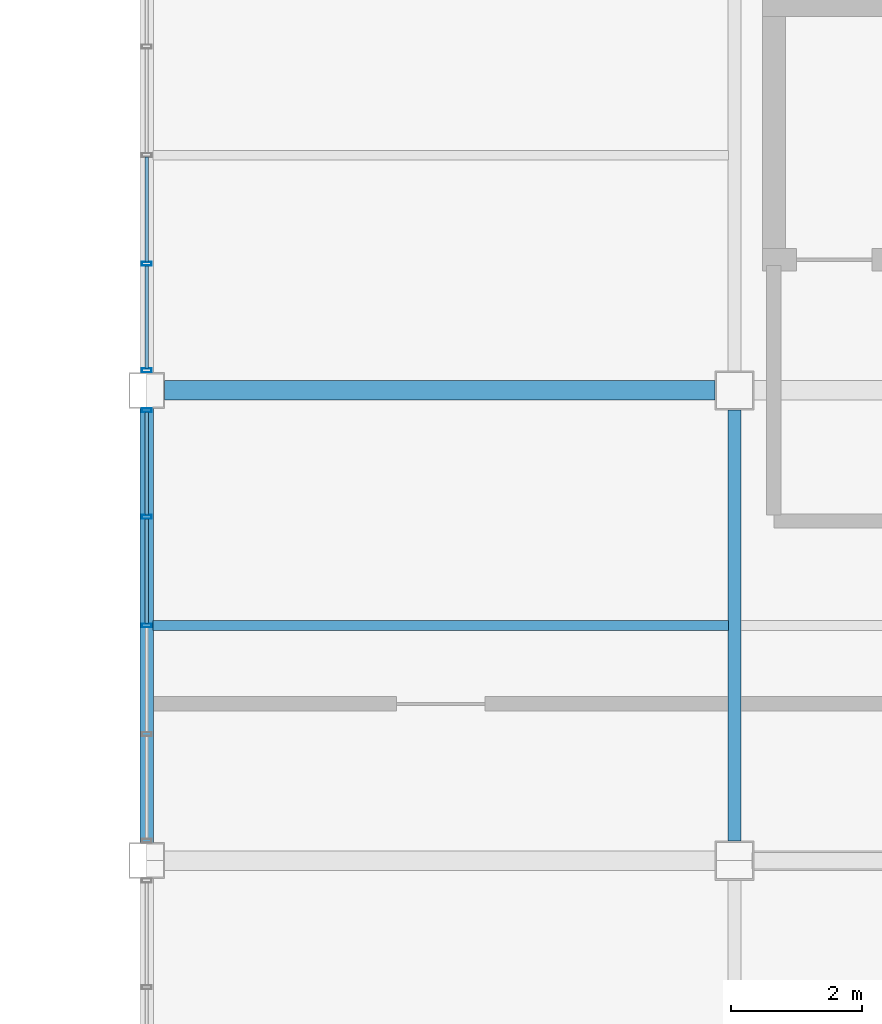
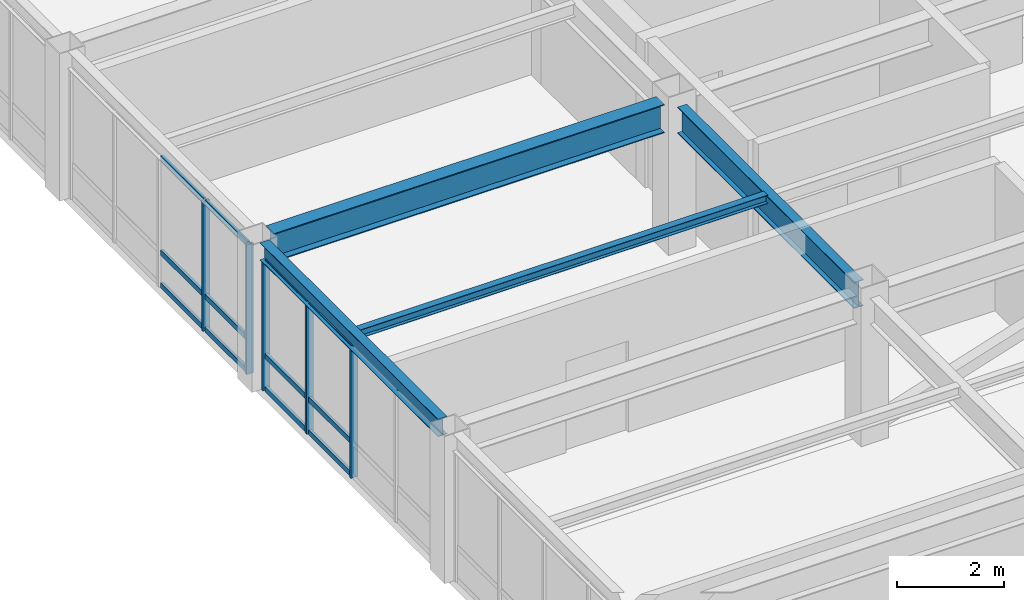
# One storey, part 22 of 43: 17 members, 4 beams, 2 elements without a shape of their own.
"""IFC4 building model written with IfcOpenShell, lengths in metres."""

from ifc_helpers import new_model, si_unit, direction, frame, origin, origin_2d, place, context, subcontext, project, spatial, hollow_rectangle, i_section, extrude, material, material_profile, profile_set, type_object, element, aggregate, save


model = new_model("IFC4")

# Units and contexts
model_context = context("Model", 3, precision=1e-05, world=origin(), true_north=direction((0.0, 1.0)))
body_context = subcontext(model_context, "Body", "Model", "MODEL_VIEW")
ifc_project = project(units=[si_unit("LENGTHUNIT", "METRE"), si_unit("AREAUNIT", "SQUARE_METRE"), si_unit("VOLUMEUNIT", "CUBIC_METRE"), si_unit("PLANEANGLEUNIT", "RADIAN"), si_unit("MASSUNIT", "GRAM", prefix="KILO")], contexts=[model_context])

# Site, building, storey
site_placement = place(None, origin())
site = spatial("IfcSite", under=ifc_project, at=site_placement, CompositionType="ELEMENT")
building_placement = place(site_placement, origin())
building = spatial("IfcBuilding", under=site, at=building_placement, Name="Kazanami Central Library", CompositionType="ELEMENT")
storey_placement = place(building_placement, frame((0.0, 0.0, 20.60009765625)))
storey = spatial("IfcBuildingStorey", under=building, at=storey_placement, Name="L06", CompositionType="ELEMENT", Elevation=20.60009765625)

# Beams
ifc_material_1 = material(Name="Steel SN400B (235 MPa)", Category="steel")
ifc_material_profile_1 = material_profile(ifc_material_1, i_section(OverallWidth=0.14990234375, OverallDepth=0.194091796875, WebThickness=0.006103515625, FlangeThickness=0.009033203125, at=origin_2d()), Name="H-194x150x6x9")
ifc_profile_set_1 = profile_set([ifc_material_profile_1], Name="Steel SN400B (235 MPa)")
beam_type_1 = type_object("IfcBeamType", Name="BM-B-S7", PredefinedType="JOIST", material=ifc_profile_set_1)
beam_1_placement = place(storey_placement, frame((117.097900390625, 75.60009765625, 3.262939453125), z_axis=(1.0, 0.0, 0.0), x_axis=(0.0, 1.0, 0.0)))
element("IfcBeam", 1, at=beam_1_placement, inside=storey, type_object=beam_type_1, Name="Composite Secondary Joist B-S7 L06 Bay 14/L.1", PredefinedType="JOIST", context=body_context, shape_type="SweptSolid", body=[
    extrude(i_section(OverallWidth=0.14990234375, OverallDepth=0.194091796875, WebThickness=0.006103515625, FlangeThickness=0.009033203125, at=origin_2d()), origin(), (0.0, 0.0, 1.0), 8.80419921875),
])
ifc_material_2 = material(Name="Steel SN490B (325 MPa)", Category="steel")
ifc_material_profile_2 = material_profile(ifc_material_2, i_section(OverallWidth=0.300048828125, OverallDepth=0.64990234375, WebThickness=0.012939453125, FlangeThickness=0.02099609375, at=origin_2d()), Name="H-650x300x13x21")
ifc_profile_set_2 = profile_set([ifc_material_profile_2], Name="Steel SN490B (325 MPa)")
beam_type_2 = type_object("IfcBeamType", Name="BM-G-TR", PredefinedType="BEAM", material=ifc_profile_set_2)
beam_2_placement = place(storey_placement, frame((117.27294921875, 79.199951171875, 3.034912109375), z_axis=(1.0, 0.0, 0.0), x_axis=(0.0, 1.0, 0.0)))
element("IfcBeam", 2, at=beam_2_placement, inside=storey, type_object=beam_type_2, Name="Girder G-TR L06 M/14-15", PredefinedType="BEAM", context=body_context, shape_type="SweptSolid", body=[
    extrude(i_section(OverallWidth=0.300048828125, OverallDepth=0.64990234375, WebThickness=0.012939453125, FlangeThickness=0.02099609375, at=origin_2d()), origin(), (0.0, 0.0, 1.0), 8.428955078125),
])
ifc_material_profile_3 = material_profile(ifc_material_2, i_section(OverallWidth=0.199951171875, OverallDepth=0.60009765625, WebThickness=0.010986328125, FlangeThickness=0.01708984375, at=origin_2d()), Name="H-600x200x11x17")
ifc_profile_set_3 = profile_set([ifc_material_profile_3], Name="Steel SN490B (325 MPa)")
beam_type_3 = type_object("IfcBeamType", Name="BM-G-Y1", PredefinedType="BEAM", material=ifc_profile_set_3)
beam_3_placement = place(storey_placement, frame((126.0, 72.298095703125, 3.02001953125), z_axis=(0.0, 1.0, 0.0), x_axis=(-1.0, 0.0, 0.0)))
element("IfcBeam", 3, at=beam_3_placement, inside=storey, type_object=beam_type_3, Name="Girder G-Y1 L06 15/L-M", PredefinedType="BEAM", context=body_context, shape_type="SweptSolid", body=[
    extrude(i_section(OverallWidth=0.199951171875, OverallDepth=0.60009765625, WebThickness=0.010986328125, FlangeThickness=0.01708984375, at=origin_2d()), origin(), (0.0, 0.0, 1.0), 6.60400390625),
])
ifc_material_profile_4 = material_profile(ifc_material_2, i_section(OverallWidth=0.199951171875, OverallDepth=0.39990234375, WebThickness=0.008056640625, FlangeThickness=0.012939453125, at=origin_2d()), Name="H-400x200x8x13")
ifc_profile_set_4 = profile_set([ifc_material_profile_4], Name="Steel SN490B (325 MPa)")
beam_type_4 = type_object("IfcBeamType", Name="BM-SP-3", PredefinedType="SPANDREL", material=ifc_profile_set_4)
beam_4_placement = place(storey_placement, frame((117.0, 72.27294921875, 3.159912109375), z_axis=(0.0, 1.0, 0.0), x_axis=(-1.0, 0.0, 0.0)))
element("IfcBeam", 4, at=beam_4_placement, inside=storey, type_object=beam_type_4, Name="Girder SP-3 L06 14/L-M", PredefinedType="SPANDREL", context=body_context, shape_type="SweptSolid", body=[
    extrude(i_section(OverallWidth=0.199951171875, OverallDepth=0.39990234375, WebThickness=0.008056640625, FlangeThickness=0.012939453125, at=origin_2d()), origin(), (0.0, 0.0, 1.0), 6.654052734375),
])

# Curtain wall, members
ifc_material_3 = material(Name="Acid-Etched Low-E Laminated Glass", Category="glass")
curtain_wall_type = type_object("IfcCurtainWallType", Name="CW-6650x2960-M180", PredefinedType="USERDEFINED", material=ifc_material_3)
curtain_wall_1_placement = place(storey_placement, origin())
curtain_wall_1 = element("IfcCurtainWall", 5, at=curtain_wall_1_placement, inside=storey, type_object=curtain_wall_type, Name="Covered Link Bridge Curtain Wall CW-59 L06 W-14-10", ObjectType="UNITISED CURTAIN WALL", PredefinedType="USERDEFINED")
ifc_material_4 = material(Name="Anodised Aluminium A6063-T5", Category="aluminium")
ifc_material_profile_5 = material_profile(ifc_material_4, hollow_rectangle(XDim=0.06005859375, YDim=0.14990234375, WallThickness=0.00390625, at=origin_2d()), Name="ALU-MULL-60x150x4")
ifc_profile_set_5 = profile_set([ifc_material_profile_5], Name="Anodised Aluminium A6063-T5")
member_type_1 = type_object("IfcMemberType", Name="MEM-CW-M3", PredefinedType="MULLION", material=ifc_profile_set_5)
member_1_placement = place(storey_placement, frame((117.0, 75.60009765625, 0.0), z_axis=(0.0, 0.0, 1.0), x_axis=(0.0, 1.0, 0.0)))
member_1 = element("IfcMember", 6, at=member_1_placement, type_object=member_type_1, Name="CW-59 mullion 3", PredefinedType="MULLION", context=body_context, shape_type="SweptSolid", body=[
    extrude(hollow_rectangle(XDim=0.06005859375, YDim=0.14990234375, WallThickness=0.00390625, at=origin_2d()), origin(), (0.0, 0.0, 1.0), 2.9599609375),
])
member_2_placement = place(storey_placement, frame((117.0, 77.262451171875, 0.0), z_axis=(0.0, 0.0, 1.0), x_axis=(0.0, 1.0, 0.0)))
member_2 = element("IfcMember", 7, at=member_2_placement, type_object=member_type_1, Name="CW-59 mullion 4", PredefinedType="MULLION", context=body_context, shape_type="SweptSolid", body=[
    extrude(hollow_rectangle(XDim=0.06005859375, YDim=0.14990234375, WallThickness=0.00390625, at=origin_2d()), origin(), (0.0, 0.0, 1.0), 2.9599609375),
])
member_3_placement = place(storey_placement, frame((117.0, 78.89501953125, 0.0), z_axis=(0.0, 0.0, 1.0), x_axis=(0.0, 1.0, 0.0)))
member_3 = element("IfcMember", 8, at=member_3_placement, type_object=member_type_1, Name="CW-59 mullion 5", PredefinedType="MULLION", context=body_context, shape_type="SweptSolid", body=[
    extrude(hollow_rectangle(XDim=0.06005859375, YDim=0.14990234375, WallThickness=0.00390625, at=origin_2d()), origin(), (0.0, 0.0, 1.0), 2.9599609375),
])

curtain_wall_2_placement = place(storey_placement, origin())
curtain_wall_2 = element("IfcCurtainWall", 9, at=curtain_wall_2_placement, inside=storey, type_object=curtain_wall_type, Name="Covered Link Bridge Curtain Wall CW-59 L06 W-14-11", ObjectType="UNITISED CURTAIN WALL", PredefinedType="USERDEFINED")
member_4_placement = place(storey_placement, frame((117.0, 79.5048828125, 0.0), z_axis=(0.0, 0.0, 1.0), x_axis=(0.0, 1.0, 0.0)))
member_4 = element("IfcMember", 10, at=member_4_placement, type_object=member_type_1, Name="CW-59 mullion 1", PredefinedType="MULLION", context=body_context, shape_type="SweptSolid", body=[
    extrude(hollow_rectangle(XDim=0.06005859375, YDim=0.14990234375, WallThickness=0.00390625, at=origin_2d()), origin(), (0.0, 0.0, 1.0), 2.9599609375),
])
member_5_placement = place(storey_placement, frame((117.0, 81.137451171875, 0.0), z_axis=(0.0, 0.0, 1.0), x_axis=(0.0, 1.0, 0.0)))
member_5 = element("IfcMember", 11, at=member_5_placement, type_object=member_type_1, Name="CW-59 mullion 2", PredefinedType="MULLION", context=body_context, shape_type="SweptSolid", body=[
    extrude(hollow_rectangle(XDim=0.06005859375, YDim=0.14990234375, WallThickness=0.00390625, at=origin_2d()), origin(), (0.0, 0.0, 1.0), 2.9599609375),
])

# Member
ifc_material_profile_6 = material_profile(ifc_material_4, hollow_rectangle(XDim=0.06005859375, YDim=0.1201171875, WallThickness=0.00341796875, at=origin_2d()), Name="ALU-TRAN-60x120x3.5")
ifc_profile_set_6 = profile_set([ifc_material_profile_6], Name="Anodised Aluminium A6063-T5")
member_type_2 = type_object("IfcMemberType", Name="MEM-CW-T3", PredefinedType="USERDEFINED", material=ifc_profile_set_6)
member_6_placement = place(storey_placement, frame((117.0, 75.6298828125, 0.02978515625), z_axis=(0.0, 1.0, 0.0), x_axis=(-1.0, 0.0, 0.0)))
member_6 = element("IfcMember", 12, at=member_6_placement, type_object=member_type_2, Name="CW-59 transom 3.1", ObjectType="TRANSOM", PredefinedType="USERDEFINED", context=body_context, shape_type="SweptSolid", body=[
    extrude(hollow_rectangle(XDim=0.06005859375, YDim=0.1201171875, WallThickness=0.00341796875, at=origin_2d()), origin(), (0.0, 0.0, 1.0), 1.6025390625),
])

member_7_placement = place(storey_placement, frame((117.0, 75.6298828125, 0.77978515625), z_axis=(0.0, 1.0, 0.0), x_axis=(-1.0, 0.0, 0.0)))
member_7 = element("IfcMember", 13, at=member_7_placement, type_object=member_type_2, Name="CW-59 transom 3.2", ObjectType="TRANSOM", PredefinedType="USERDEFINED", context=body_context, shape_type="SweptSolid", body=[
    extrude(hollow_rectangle(XDim=0.06005859375, YDim=0.1201171875, WallThickness=0.00341796875, at=origin_2d()), origin(), (0.0, 0.0, 1.0), 1.6025390625),
])

member_8_placement = place(storey_placement, frame((117.0, 75.6298828125, 2.929931640625), z_axis=(0.0, 1.0, 0.0), x_axis=(-1.0, 0.0, 0.0)))
member_8 = element("IfcMember", 14, at=member_8_placement, type_object=member_type_2, Name="CW-59 transom 3.3", ObjectType="TRANSOM", PredefinedType="USERDEFINED", context=body_context, shape_type="SweptSolid", body=[
    extrude(hollow_rectangle(XDim=0.06005859375, YDim=0.1201171875, WallThickness=0.00341796875, at=origin_2d()), origin(), (0.0, 0.0, 1.0), 1.6025390625),
])

member_9_placement = place(storey_placement, frame((117.0, 77.29248046875, 0.02978515625), z_axis=(0.0, 1.0, 0.0), x_axis=(-1.0, 0.0, 0.0)))
member_9 = element("IfcMember", 15, at=member_9_placement, type_object=member_type_2, Name="CW-59 transom 4.1", ObjectType="TRANSOM", PredefinedType="USERDEFINED", context=body_context, shape_type="SweptSolid", body=[
    extrude(hollow_rectangle(XDim=0.06005859375, YDim=0.1201171875, WallThickness=0.00341796875, at=origin_2d()), origin(), (0.0, 0.0, 1.0), 1.572509765625),
])

member_10_placement = place(storey_placement, frame((117.0, 77.29248046875, 0.77978515625), z_axis=(0.0, 1.0, 0.0), x_axis=(-1.0, 0.0, 0.0)))
member_10 = element("IfcMember", 16, at=member_10_placement, type_object=member_type_2, Name="CW-59 transom 4.2", ObjectType="TRANSOM", PredefinedType="USERDEFINED", context=body_context, shape_type="SweptSolid", body=[
    extrude(hollow_rectangle(XDim=0.06005859375, YDim=0.1201171875, WallThickness=0.00341796875, at=origin_2d()), origin(), (0.0, 0.0, 1.0), 1.572509765625),
])

member_11_placement = place(storey_placement, frame((117.0, 77.29248046875, 2.929931640625), z_axis=(0.0, 1.0, 0.0), x_axis=(-1.0, 0.0, 0.0)))
member_11 = element("IfcMember", 17, at=member_11_placement, type_object=member_type_2, Name="CW-59 transom 4.3", ObjectType="TRANSOM", PredefinedType="USERDEFINED", context=body_context, shape_type="SweptSolid", body=[
    extrude(hollow_rectangle(XDim=0.06005859375, YDim=0.1201171875, WallThickness=0.00341796875, at=origin_2d()), origin(), (0.0, 0.0, 1.0), 1.572509765625),
])

aggregate(curtain_wall_1, [member_1, member_2, member_3, member_6, member_7, member_8, member_9, member_10, member_11])

member_12_placement = place(storey_placement, frame((117.0, 79.534912109375, 0.02978515625), z_axis=(0.0, 1.0, 0.0), x_axis=(-1.0, 0.0, 0.0)))
member_12 = element("IfcMember", 18, at=member_12_placement, type_object=member_type_2, Name="CW-59 transom 1.1", ObjectType="TRANSOM", PredefinedType="USERDEFINED", context=body_context, shape_type="SweptSolid", body=[
    extrude(hollow_rectangle(XDim=0.06005859375, YDim=0.1201171875, WallThickness=0.00341796875, at=origin_2d()), origin(), (0.0, 0.0, 1.0), 1.572509765625),
])

member_13_placement = place(storey_placement, frame((117.0, 79.534912109375, 0.77978515625), z_axis=(0.0, 1.0, 0.0), x_axis=(-1.0, 0.0, 0.0)))
member_13 = element("IfcMember", 19, at=member_13_placement, type_object=member_type_2, Name="CW-59 transom 1.2", ObjectType="TRANSOM", PredefinedType="USERDEFINED", context=body_context, shape_type="SweptSolid", body=[
    extrude(hollow_rectangle(XDim=0.06005859375, YDim=0.1201171875, WallThickness=0.00341796875, at=origin_2d()), origin(), (0.0, 0.0, 1.0), 1.572509765625),
])

member_14_placement = place(storey_placement, frame((117.0, 79.534912109375, 2.929931640625), z_axis=(0.0, 1.0, 0.0), x_axis=(-1.0, 0.0, 0.0)))
member_14 = element("IfcMember", 20, at=member_14_placement, type_object=member_type_2, Name="CW-59 transom 1.3", ObjectType="TRANSOM", PredefinedType="USERDEFINED", context=body_context, shape_type="SweptSolid", body=[
    extrude(hollow_rectangle(XDim=0.06005859375, YDim=0.1201171875, WallThickness=0.00341796875, at=origin_2d()), origin(), (0.0, 0.0, 1.0), 1.572509765625),
])

member_15_placement = place(storey_placement, frame((117.0, 81.16748046875, 0.02978515625), z_axis=(0.0, 1.0, 0.0), x_axis=(-1.0, 0.0, 0.0)))
member_15 = element("IfcMember", 21, at=member_15_placement, type_object=member_type_2, Name="CW-59 transom 2.1", ObjectType="TRANSOM", PredefinedType="USERDEFINED", context=body_context, shape_type="SweptSolid", body=[
    extrude(hollow_rectangle(XDim=0.06005859375, YDim=0.1201171875, WallThickness=0.00341796875, at=origin_2d()), origin(), (0.0, 0.0, 1.0), 1.6025390625),
])

member_16_placement = place(storey_placement, frame((117.0, 81.16748046875, 0.77978515625), z_axis=(0.0, 1.0, 0.0), x_axis=(-1.0, 0.0, 0.0)))
member_16 = element("IfcMember", 22, at=member_16_placement, type_object=member_type_2, Name="CW-59 transom 2.2", ObjectType="TRANSOM", PredefinedType="USERDEFINED", context=body_context, shape_type="SweptSolid", body=[
    extrude(hollow_rectangle(XDim=0.06005859375, YDim=0.1201171875, WallThickness=0.00341796875, at=origin_2d()), origin(), (0.0, 0.0, 1.0), 1.6025390625),
])

member_17_placement = place(storey_placement, frame((117.0, 81.16748046875, 2.929931640625), z_axis=(0.0, 1.0, 0.0), x_axis=(-1.0, 0.0, 0.0)))
member_17 = element("IfcMember", 23, at=member_17_placement, type_object=member_type_2, Name="CW-59 transom 2.3", ObjectType="TRANSOM", PredefinedType="USERDEFINED", context=body_context, shape_type="SweptSolid", body=[
    extrude(hollow_rectangle(XDim=0.06005859375, YDim=0.1201171875, WallThickness=0.00341796875, at=origin_2d()), origin(), (0.0, 0.0, 1.0), 1.6025390625),
])

aggregate(curtain_wall_2, [member_4, member_5, member_12, member_13, member_14, member_15, member_16, member_17])

save(model, "model.ifc")
